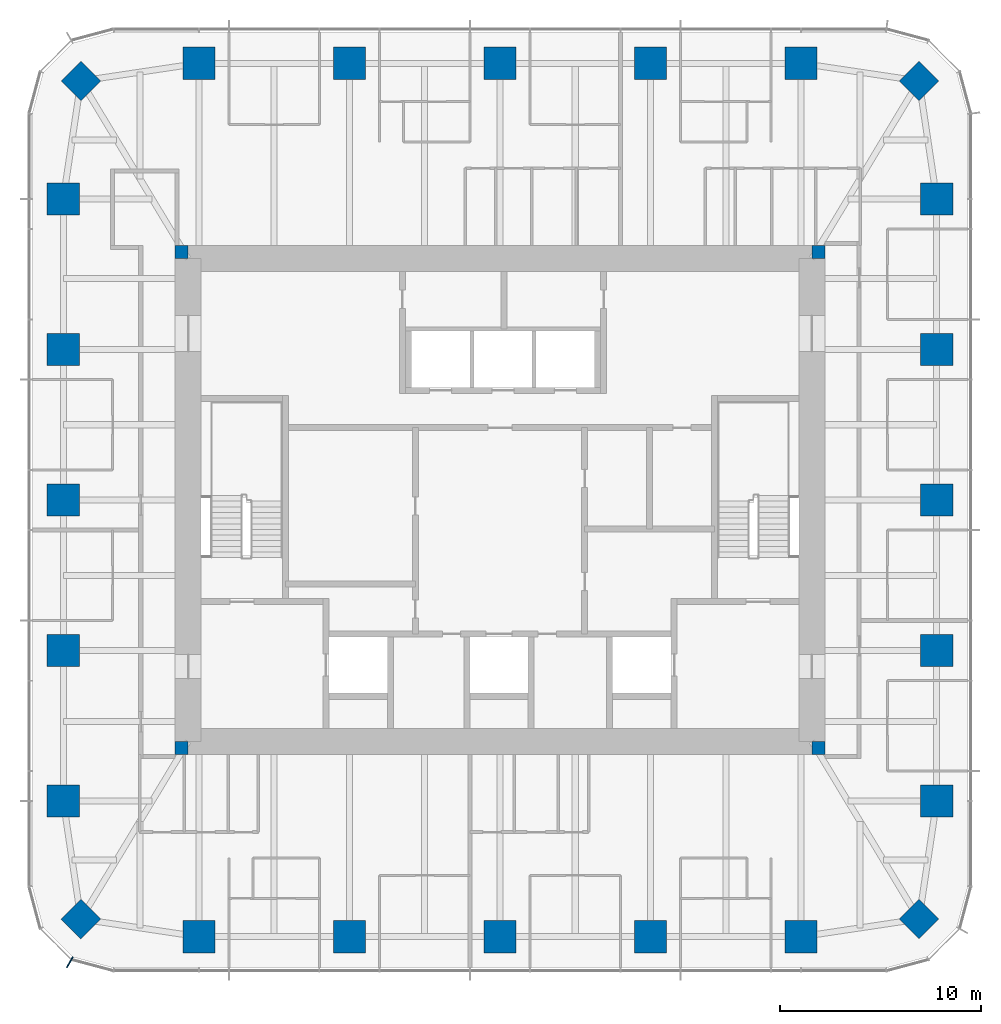
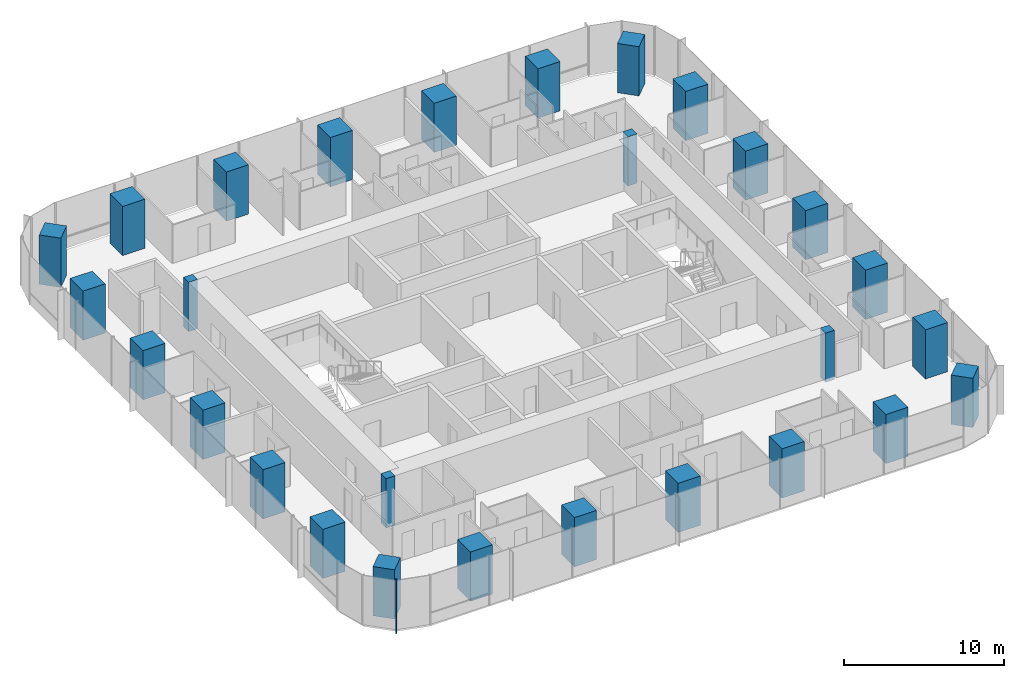
# One storey, part 1 of 12: 28 columns, 1 member, 1 element without a shape of its own.
"""IFC4 building model written with IfcOpenShell, lengths in metres."""

import ifcopenshell
import ifcopenshell.guid

model = None  # the IFC model being written
_history = None  # IfcOwnerHistory: only IFC2X3 demands one
_inside = {}  # id of a spatial element -> (the spatial element, [elements in it])
_under = {}  # id of a project, library or spatial element -> (it, [spatial elements below it])
_declared = {}  # id of a project -> (the project, [libraries it declares])
_typed = {}  # id of a type object -> (the type object, [elements of that type])
_made_of = {}  # id of a material, layer set ... -> (it, [elements and type objects made of it])


def new_model(schema):
    """Start an empty IFC model of exactly this schema.

    Asked for "IFC4X3", IfcOpenShell would pick the latest addendum, in which some entities
    have other attributes; the version numbers below select the first issue.
    IFC2X3 requires an IfcOwnerHistory on every rooted entity: one is made here for all.
    """
    global model, _history
    if schema == "IFC4X3":
        model = ifcopenshell.file(schema_version=(4, 3, 0, 0))
    else:
        model = ifcopenshell.file(schema=schema)
    _inside.clear()
    _under.clear()
    _declared.clear()
    _typed.clear()
    _made_of.clear()
    _history = None
    if model.schema == "IFC2X3":
        org = make("IfcOrganization", Name="unknown")
        user = make(
            "IfcPersonAndOrganization",
            ThePerson=make("IfcPerson", FamilyName="unknown"),
            TheOrganization=org,
        )
        app = make(
            "IfcApplication",
            ApplicationDeveloper=org,
            Version="unknown",
            ApplicationFullName="unknown",
            ApplicationIdentifier="unknown",
        )
        _history = make(
            "IfcOwnerHistory",
            OwningUser=user,
            OwningApplication=app,
            ChangeAction="ADDED",
            CreationDate=0,
        )
    return model


def make(cls, **values):
    """One entity of the class cls with the attributes given. An attribute that is None is left unset."""
    return model.create_entity(
        cls, **{name: value for name, value in values.items() if value is not None}
    )


def rooted(cls, **values):
    """An entity with a GlobalId (a new one), such as an element, a storey or a relation."""
    return make(cls, GlobalId=ifcopenshell.guid.new(), OwnerHistory=_history, **values)


def si_unit(unit_type, name, prefix=None):
    """IfcSIUnit, for example si_unit("LENGTHUNIT", "METRE", prefix="MILLI")."""
    return make("IfcSIUnit", UnitType=unit_type, Prefix=prefix, Name=name)


def assignment(units):
    """IfcUnitAssignment: the units of a project."""
    return None if units is None else make("IfcUnitAssignment", Units=units)


def point(xyz):
    """IfcCartesianPoint."""
    return None if xyz is None else make("IfcCartesianPoint", Coordinates=xyz)


def direction(xyz):
    """IfcDirection."""
    return None if xyz is None else make("IfcDirection", DirectionRatios=xyz)


def frame(location, z_axis=None, x_axis=None):
    """IfcAxis2Placement3D, a coordinate frame: its origin and axes. An axis left out is left unset."""
    return make(
        "IfcAxis2Placement3D",
        Location=point(location),
        Axis=direction(z_axis),
        RefDirection=direction(x_axis),
    )


def frame_2d(location, x_axis=None):
    """IfcAxis2Placement2D, a coordinate frame in the plane: its origin and x axis."""
    return make(
        "IfcAxis2Placement2D", Location=point(location), RefDirection=direction(x_axis)
    )


def origin():
    """The frame at (0, 0, 0) with its axes left unset."""
    return frame((0.0, 0.0, 0.0))


def origin_2d():
    """The frame at (0, 0) in the plane with its x axis left unset."""
    return frame_2d((0.0, 0.0))


def place(relative_to, where):
    """IfcLocalPlacement: puts the frame where relative to a parent placement (None: the world)."""
    return make(
        "IfcLocalPlacement", PlacementRelTo=relative_to, RelativePlacement=where
    )


def context(
    kind, dimensions, precision=None, world=None, true_north=None, identifier=None
):
    """IfcGeometricRepresentationContext, for example the 3D "Model" context."""
    return make(
        "IfcGeometricRepresentationContext",
        ContextIdentifier=identifier,
        ContextType=kind,
        CoordinateSpaceDimension=dimensions,
        Precision=precision,
        WorldCoordinateSystem=world,
        TrueNorth=true_north,
    )


def subcontext(parent, identifier, kind, view, scale=None):
    """IfcGeometricRepresentationSubContext, for example "Body" below "Model"."""
    return make(
        "IfcGeometricRepresentationSubContext",
        ContextIdentifier=identifier,
        ContextType=kind,
        ParentContext=parent,
        TargetScale=scale,
        TargetView=view,
    )


def project(units=None, contexts=None):
    """IfcProject with its units and contexts."""
    return rooted(
        "IfcProject",
        Name="project",
        RepresentationContexts=contexts,
        UnitsInContext=assignment(units),
    )


def spatial(cls, under=None, at=None, **own):
    """A site, building, storey or space (cls), placed at a placement, below another one or the project."""
    s = rooted(cls, ObjectPlacement=at, **own)
    if under is not None:
        _under.setdefault(under.id(), (under, []))[1].append(s)
    return s


def profile(cls, at=None, kind="AREA", **sizes):
    """A parametric profile (cls). Its sizes go by their IFC names, for example OverallWidth=200.0."""
    return make(cls, ProfileType=kind, Position=at, **sizes)


def rectangle(**sizes):
    """IfcRectangleProfileDef."""
    return profile("IfcRectangleProfileDef", **sizes)


def extrude(swept, where, along, depth):
    """IfcExtrudedAreaSolid: the profile swept, set in the frame where, extruded along a direction by depth."""
    return make(
        "IfcExtrudedAreaSolid",
        SweptArea=swept,
        Position=where,
        ExtrudedDirection=direction(along),
        Depth=depth,
    )


def shape(context_of_items, identifier, shape_type, items):
    """IfcShapeRepresentation: the items that make up one representation, for example the "Body"."""
    return make(
        "IfcShapeRepresentation",
        ContextOfItems=context_of_items,
        RepresentationIdentifier=identifier,
        RepresentationType=shape_type,
        Items=items,
    )


def material(Name=None, Category=None):
    """IfcMaterial."""
    return make("IfcMaterial", Name=Name, Category=Category)


def material_profile(
    of_material, cross_section, Name=None, Category=None, Priority=None
):
    """IfcMaterialProfile: a cross section and its material."""
    return make(
        "IfcMaterialProfile",
        Name=Name,
        Material=of_material,
        Profile=cross_section,
        Priority=Priority,
        Category=Category,
    )


def profile_set(profiles, Name=None, composite=None):
    """IfcMaterialProfileSet."""
    return make(
        "IfcMaterialProfileSet",
        Name=Name,
        MaterialProfiles=profiles,
        CompositeProfile=composite,
    )


def made_of(thing, what):
    """Note that an element or type object is made of a material, layer set ...; save() writes the relation."""
    if what is not None:
        _made_of.setdefault(what.id(), (what, []))[1].append(thing)
    return thing


def type_object(cls, material=None, **own):
    """A type object (cls), such as IfcWallType, which elements share."""
    return made_of(rooted(cls, **own), material)


def element(
    cls,
    number,
    at=None,
    inside=None,
    cuts=None,
    type_object=None,
    material=None,
    context=None,
    identifier="Body",
    shape_type=None,
    held_by="IfcProductDefinitionShape",
    body=None,
    shapes=None,
    **own,
):
    """One element of the class cls, such as IfcWall. Its Tag is "e" and its number.

    at: its placement. inside: the storey or other place that contains it. cuts: it is an
    opening in that element (IfcRelVoidsElement). A single representation is given by context,
    identifier, shape_type and body (its items); several are given by shapes. held_by: the class
    of the entity that holds the representations. save() writes the other relations.
    """
    e = rooted(cls, Tag="e%d" % number, ObjectPlacement=at, **own)
    if body is not None:
        shapes = [shape(context, identifier, shape_type, body)]
    if shapes is not None:
        e.Representation = make(held_by, Representations=shapes)
    if inside is not None:
        _inside.setdefault(inside.id(), (inside, []))[1].append(e)
    if cuts is not None:
        rooted(
            "IfcRelVoidsElement", RelatingBuildingElement=cuts, RelatedOpeningElement=e
        )
    if type_object is not None:
        _typed.setdefault(type_object.id(), (type_object, []))[1].append(e)
    return made_of(e, material)


def aggregate(whole, parts):
    """IfcRelAggregates: a whole, such as a stair, and the parts it consists of."""
    return rooted("IfcRelAggregates", RelatingObject=whole, RelatedObjects=parts)


def save(model, path):
    """Write the relations noted so far, then the file.

    IfcRelAggregates (storeys below a building ...), IfcRelContainedInSpatialStructure (elements
    in a storey), IfcRelDefinesByType, IfcRelAssociatesMaterial and IfcRelDeclares: one each for
    every whole, place, type object, material and project.
    """
    for whole, parts in _under.values():
        aggregate(whole, parts)
    for where, things in _inside.values():
        rooted(
            "IfcRelContainedInSpatialStructure",
            RelatedElements=things,
            RelatingStructure=where,
        )
    for kind, things in _typed.values():
        rooted("IfcRelDefinesByType", RelatedObjects=things, RelatingType=kind)
    for what, things in _made_of.values():
        rooted("IfcRelAssociatesMaterial", RelatedObjects=things, RelatingMaterial=what)
    for by, libraries in _declared.values():
        rooted("IfcRelDeclares", RelatingContext=by, RelatedDefinitions=libraries)
    model.write(path)


model = new_model("IFC4")

# Units and contexts
model_context = context("Model", 3, precision=1e-05, world=origin(), true_north=direction((0.0, 1.0)))
body_context = subcontext(model_context, "Body", "Model", "MODEL_VIEW")
ifc_project = project(units=[si_unit("LENGTHUNIT", "METRE"), si_unit("AREAUNIT", "SQUARE_METRE"), si_unit("VOLUMEUNIT", "CUBIC_METRE"), si_unit("PLANEANGLEUNIT", "RADIAN"), si_unit("MASSUNIT", "GRAM", prefix="KILO")], contexts=[model_context])

# Site, building, storey
site_placement = place(None, origin())
site = spatial("IfcSite", under=ifc_project, at=site_placement, CompositionType="ELEMENT")
building_placement = place(site_placement, origin())
building = spatial("IfcBuilding", under=site, at=building_placement, Name="Khuree Lantern Residences", CompositionType="ELEMENT")
storey_placement = place(building_placement, frame((0.0, 0.0, 327.0)))
storey = spatial("IfcBuildingStorey", under=building, at=storey_placement, Name="L82", CompositionType="ELEMENT", Elevation=327.0)

# Columns
ifc_material_1 = material(Name="Concrete C70/85", Category="concrete")
ifc_material_profile_1 = material_profile(ifc_material_1, rectangle(XDim=1.39990234375, YDim=1.39990234375, at=origin_2d()), Name="RC 1400X1400")
ifc_profile_set_1 = profile_set([ifc_material_profile_1], Name="Concrete C70/85")
column_type_1 = type_object("IfcColumnType", Name="CC1400 PERIMETER CORNER COLUMN RC 1400X1400", PredefinedType="COLUMN", material=ifc_profile_set_1)
for number, where, z_axis, x_axis, name in (
    (1, (20.8212890625, 20.8212890625, 0.0), (0.0, 0.0, 1.0), (0.707106781187, -0.707106781187, 0.0), "Perimeter column NE"),
    (2, (20.8212890625, -20.8212890625, 0.0), (0.0, 0.0, 1.0), (0.707106781187, 0.707106781187, 0.0), "Perimeter column SE"),
    (3, (-20.8212890625, -20.8212890625, 0.0), (0.0, 0.0, 1.0), (0.707106781187, -0.707106781187, 0.0), "Perimeter column SW"),
    (4, (-20.8212890625, 20.8212890625, 0.0), (0.0, 0.0, 1.0), (0.707106781187, 0.707106781187, 0.0), "Perimeter column NW"),
):
    element("IfcColumn", number, at=place(storey_placement, frame(where, z_axis=z_axis, x_axis=x_axis)), inside=storey, type_object=column_type_1, Name=name, PredefinedType="COLUMN", context=body_context, shape_type="SweptSolid", body=[
        extrude(rectangle(XDim=1.39990234375, YDim=1.39990234375, at=origin_2d()), origin(), (0.0, 0.0, 1.0), 3.75),
    ])
ifc_material_2 = material(Name="Concrete C50/60", Category="concrete")
ifc_material_profile_2 = material_profile(ifc_material_2, rectangle(XDim=0.64990234375, YDim=0.64990234375, at=origin_2d()), Name="RC 650X650")
ifc_profile_set_2 = profile_set([ifc_material_profile_2], Name="Concrete C50/60")
column_type_2 = type_object("IfcColumnType", Name="CP650-C50 CORE CORNER PIER C50 RC 650X650", PredefinedType="COLUMN", material=ifc_profile_set_2)
for number, where, z_axis, x_axis, name in (
    (5, (15.824951171875, 12.324951171875, -0.25), (0.0, 0.0, 1.0), (1.0, 0.0, 0.0), "Core corner pier NE"),
    (6, (-15.824951171875, 12.324951171875, -0.25), (0.0, 0.0, 1.0), (1.0, 0.0, 0.0), "Core corner pier NW"),
    (7, (-15.824951171875, -12.324951171875, -0.25), (0.0, 0.0, 1.0), (1.0, 0.0, 0.0), "Core corner pier SW"),
    (8, (15.824951171875, -12.324951171875, -0.25), (0.0, 0.0, 1.0), (1.0, 0.0, 0.0), "Core corner pier SE"),
):
    element("IfcColumn", number, at=place(storey_placement, frame(where, z_axis=z_axis, x_axis=x_axis)), inside=storey, type_object=column_type_2, Name=name, PredefinedType="COLUMN", context=body_context, shape_type="SweptSolid", body=[
        extrude(rectangle(XDim=0.64990234375, YDim=0.64990234375, at=origin_2d()), origin(), (0.0, 0.0, 1.0), 3.75),
    ])
ifc_material_profile_3 = material_profile(ifc_material_1, rectangle(XDim=1.60009765625, YDim=1.60009765625, at=origin_2d()), Name="RC 1600X1600")
ifc_profile_set_3 = profile_set([ifc_material_profile_3], Name="Concrete C70/85")
column_type_3 = type_object("IfcColumnType", Name="PC5 PERIMETER COLUMN RC 1600X1600", PredefinedType="COLUMN", material=ifc_profile_set_3)
for number, where, z_axis, x_axis, name in (
    (9, (-14.9599609375, 21.699951171875, 0.0), (0.0, 0.0, 1.0), (1.0, 0.0, 0.0), "Perimeter column N1"),
    (10, (-7.47998046875, 21.699951171875, 0.0), (0.0, 0.0, 1.0), (1.0, 0.0, 0.0), "Perimeter column N2"),
    (11, (0.0, 21.699951171875, 0.0), (0.0, 0.0, 1.0), (1.0, 0.0, 0.0), "Perimeter column N3"),
    (12, (7.47998046875, 21.699951171875, 0.0), (0.0, 0.0, 1.0), (1.0, 0.0, 0.0), "Perimeter column N4"),
    (13, (14.9599609375, 21.699951171875, 0.0), (0.0, 0.0, 1.0), (1.0, 0.0, 0.0), "Perimeter column N5"),
    (14, (21.699951171875, 14.9599609375, 0.0), (0.0, 0.0, 1.0), (0.0, 1.0, 0.0), "Perimeter column E1"),
    (15, (21.699951171875, 7.47998046875, 0.0), (0.0, 0.0, 1.0), (0.0, 1.0, 0.0), "Perimeter column E2"),
    (16, (21.699951171875, 0.0, 0.0), (0.0, 0.0, 1.0), (0.0, 1.0, 0.0), "Perimeter column E3"),
    (17, (21.699951171875, -7.47998046875, 0.0), (0.0, 0.0, 1.0), (0.0, 1.0, 0.0), "Perimeter column E4"),
    (18, (21.699951171875, -14.9599609375, 0.0), (0.0, 0.0, 1.0), (0.0, 1.0, 0.0), "Perimeter column E5"),
    (19, (14.9599609375, -21.699951171875, 0.0), (0.0, 0.0, 1.0), (1.0, 0.0, 0.0), "Perimeter column S1"),
    (20, (7.47998046875, -21.699951171875, 0.0), (0.0, 0.0, 1.0), (1.0, 0.0, 0.0), "Perimeter column S2"),
    (21, (0.0, -21.699951171875, 0.0), (0.0, 0.0, 1.0), (1.0, 0.0, 0.0), "Perimeter column S3"),
    (22, (-7.47998046875, -21.699951171875, 0.0), (0.0, 0.0, 1.0), (1.0, 0.0, 0.0), "Perimeter column S4"),
    (23, (-14.9599609375, -21.699951171875, 0.0), (0.0, 0.0, 1.0), (1.0, 0.0, 0.0), "Perimeter column S5"),
    (24, (-21.699951171875, -14.9599609375, 0.0), (0.0, 0.0, 1.0), (0.0, 1.0, 0.0), "Perimeter column W1"),
    (25, (-21.699951171875, -7.47998046875, 0.0), (0.0, 0.0, 1.0), (0.0, 1.0, 0.0), "Perimeter column W2"),
    (26, (-21.699951171875, 0.0, 0.0), (0.0, 0.0, 1.0), (0.0, 1.0, 0.0), "Perimeter column W3"),
    (27, (-21.699951171875, 7.47998046875, 0.0), (0.0, 0.0, 1.0), (0.0, 1.0, 0.0), "Perimeter column W4"),
    (28, (-21.699951171875, 14.9599609375, 0.0), (0.0, 0.0, 1.0), (0.0, 1.0, 0.0), "Perimeter column W5"),
):
    element("IfcColumn", number, at=place(storey_placement, frame(where, z_axis=z_axis, x_axis=x_axis)), inside=storey, type_object=column_type_3, Name=name, PredefinedType="COLUMN", context=body_context, shape_type="SweptSolid", body=[
        extrude(rectangle(XDim=1.60009765625, YDim=1.60009765625, at=origin_2d()), origin(), (0.0, 0.0, 1.0), 3.75),
    ])

# Curtain wall, member
ifc_material_3 = material(Name="Bronze anodised aluminium", Category="aluminium")
curtain_wall_type = type_object("IfcCurtainWallType", Name="CW-T2 TOWER CORNER CURTAIN WALL", PredefinedType="USERDEFINED", material=ifc_material_3)
curtain_wall_placement = place(storey_placement, origin())
curtain_wall = element("IfcCurtainWall", 29, at=curtain_wall_placement, inside=storey, type_object=curtain_wall_type, Name="L82 SOUTH-WEST CORNER CURTAIN WALL", ObjectType="Faceted corner curtain wall", PredefinedType="USERDEFINED")
ifc_material_profile_4 = material_profile(ifc_material_3, rectangle(XDim=0.06494140625, YDim=0.60009765625, at=origin_2d()), Name="F1 65X600")
ifc_profile_set_4 = profile_set([ifc_material_profile_4], Name="Bronze anodised aluminium")
member_type = type_object("IfcMemberType", Name="F1 BRONZE FIN MULLION TOWER 65X600", PredefinedType="MULLION", material=ifc_profile_set_4)
member_placement = place(storey_placement, frame((-21.375, -22.96728515625, 0.0), z_axis=(0.0, 0.0, 1.0), x_axis=(0.866025437565, -0.49999994149, 0.0)))
member = element("IfcMember", 30, at=member_placement, type_object=member_type, Name="L82 SOUTH-WEST CORNER FIN MULLION 45", PredefinedType="MULLION", context=body_context, shape_type="SweptSolid", body=[
    extrude(rectangle(XDim=0.06494140625, YDim=0.60009765625, at=origin_2d()), origin(), (0.0, 0.0, 1.0), 3.75),
])
aggregate(curtain_wall, [member])

save(model, "model.ifc")
